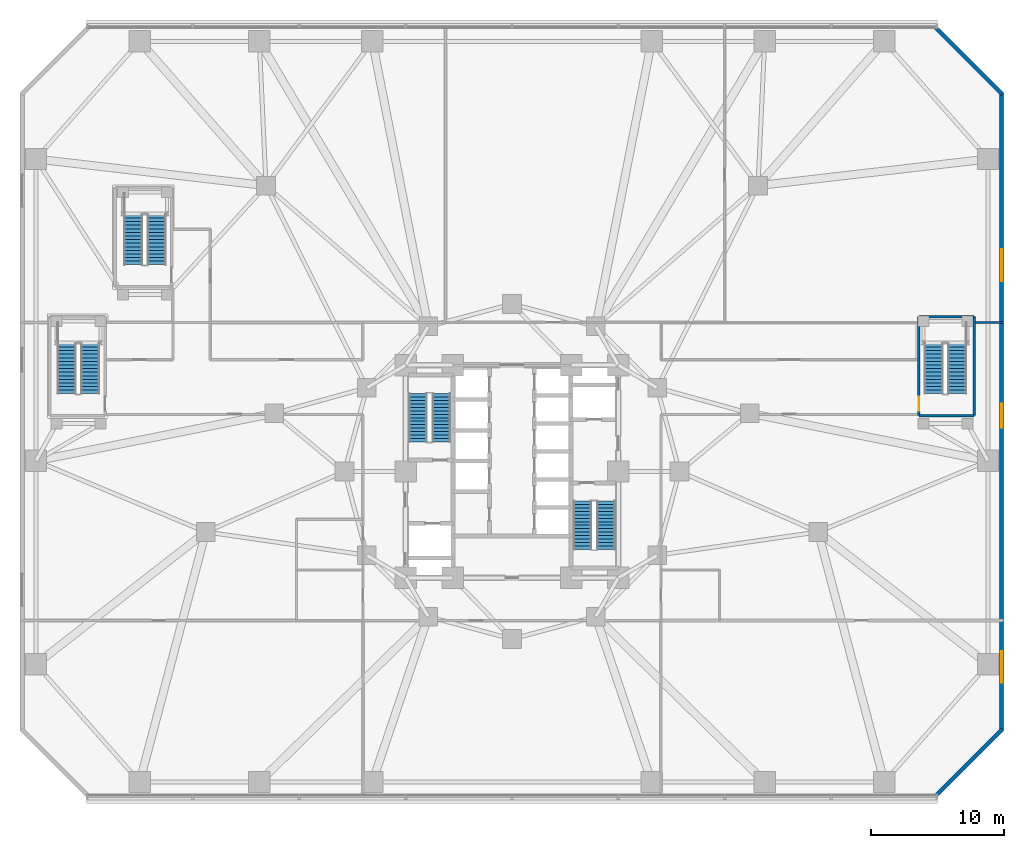
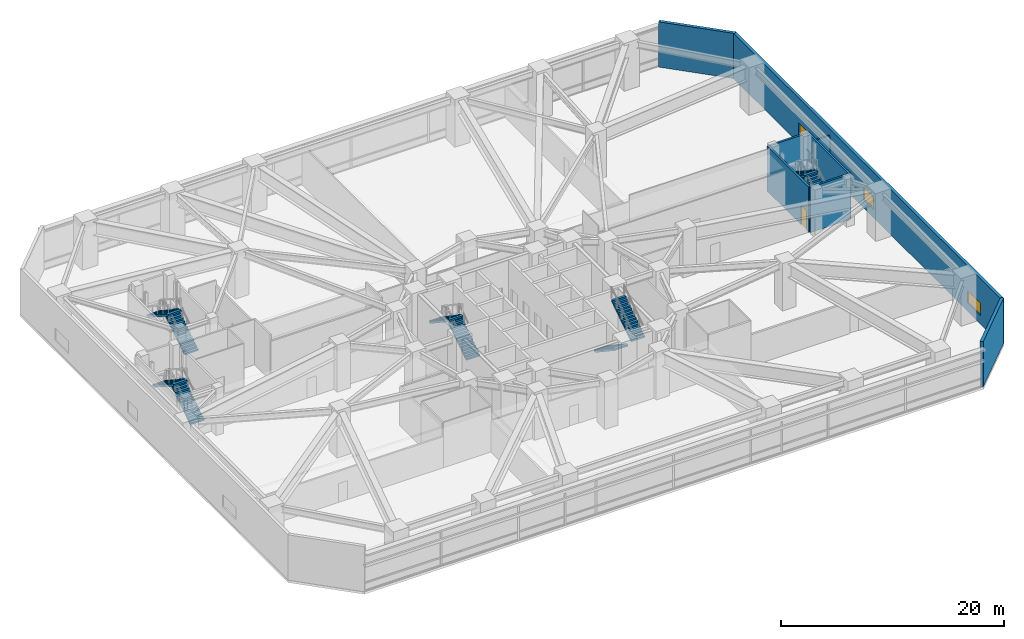
# One storey, part 18 of 27: 10 stair flights, 8 walls, 3 windows, 1 door, 4 openings, 5 elements without a shape of their own.
"""IFC4 building model written with IfcOpenShell, lengths in metres."""

from ifc_helpers import new_model, si_unit, direction, frame, frame_2d, origin, place, context, subcontext, project, spatial, polyline, rectangle, outline, extrude, material, layer, layer_set, type_object, element, fill, aggregate, save


model = new_model("IFC4")

# Units and contexts
model_context = context("Model", 3, precision=1e-05, world=origin(), true_north=direction((0.0, 1.0)))
body_context = subcontext(model_context, "Body", "Model", "MODEL_VIEW")
ifc_project = project(units=[si_unit("LENGTHUNIT", "METRE"), si_unit("AREAUNIT", "SQUARE_METRE"), si_unit("VOLUMEUNIT", "CUBIC_METRE"), si_unit("PLANEANGLEUNIT", "RADIAN"), si_unit("MASSUNIT", "GRAM", prefix="KILO")], contexts=[model_context])

# Site, building, storey
site_placement = place(None, origin())
site = spatial("IfcSite", under=ifc_project, at=site_placement, CompositionType="ELEMENT")
building_placement = place(site_placement, origin())
building = spatial("IfcBuilding", under=site, at=building_placement, Name="Terralouvre Media Tower", CompositionType="ELEMENT")
storey_placement = place(building_placement, frame((0.0, 0.0, 5.199951171875)))
storey = spatial("IfcBuildingStorey", under=building, at=storey_placement, Name="L01", CompositionType="ELEMENT", Elevation=5.199951171875)

# Walls
ifc_material_1 = material(Name="Fire-rated gypsum board drywall partition")
ifc_layer_1 = layer(ifc_material_1, 0.199951171875, Name="Fire-Rated Shaft and Lobby Partition FW-200")
ifc_layer_set_1 = layer_set([ifc_layer_1], Name="Fire-rated gypsum board drywall partition")
wall_type_1 = type_object("IfcWallType", Name="Fire-Rated Shaft and Lobby Partition FW-200", PredefinedType="SOLIDWALL", material=ifc_layer_set_1)
wall_1_placement = place(storey_placement, frame((30.60009765625, 4.199951171875, 0.0), z_axis=(0.0, 0.0, 1.0), x_axis=(1.0, 0.0, 0.0)))
element("IfcWall", 1, at=wall_1_placement, inside=storey, type_object=wall_type_1, Name="L01 ST04 Stair Shaft Wall S", PredefinedType="SOLIDWALL", context=body_context, shape_type="SweptSolid", body=[
    extrude(rectangle(XDim=4.14990234375, YDim=0.199951171875, at=frame_2d((2.074951171875, 0.0))), origin(), (0.0, 0.0, 1.0), 4.949951171875),
])
wall_2_placement = place(storey_placement, frame((34.75, 4.199951171875, 0.0), z_axis=(0.0, 0.0, 1.0), x_axis=(0.0, 1.0, 0.0)))
element("IfcWall", 2, at=wall_2_placement, inside=storey, type_object=wall_type_1, Name="L01 ST04 Stair Shaft Wall E", PredefinedType="SOLIDWALL", context=body_context, shape_type="SweptSolid", body=[
    extrude(rectangle(XDim=7.449951171875, YDim=0.199951171875, at=frame_2d((3.72509765625, 0.0))), origin(), (0.0, 0.0, 1.0), 4.949951171875),
])
wall_3_placement = place(storey_placement, frame((34.75, 11.64990234375, 0.0), z_axis=(0.0, 0.0, 1.0), x_axis=(-1.0, 0.0, 0.0)))
element("IfcWall", 3, at=wall_3_placement, inside=storey, type_object=wall_type_1, Name="L01 ST04 Stair Shaft Wall N", PredefinedType="SOLIDWALL", context=body_context, shape_type="SweptSolid", body=[
    extrude(rectangle(XDim=4.14990234375, YDim=0.199951171875, at=frame_2d((2.074951171875, 0.0))), origin(), (0.0, 0.0, 1.0), 4.949951171875),
])

# Wall, opening, door
wall_4_placement = place(storey_placement, frame((30.60009765625, 11.64990234375, 0.0), z_axis=(0.0, 0.0, 1.0), x_axis=(0.0, -1.0, 0.0)))
wall_4 = element("IfcWall", 4, at=wall_4_placement, inside=storey, type_object=wall_type_1, Name="L01 ST04 Stair Shaft Wall W", PredefinedType="SOLIDWALL", context=body_context, shape_type="SweptSolid", body=[
    extrude(rectangle(XDim=7.449951171875, YDim=0.199951171875, at=frame_2d((3.72509765625, 0.0))), origin(), (0.0, 0.0, 1.0), 4.949951171875),
])
opening_1_placement = place(wall_4_placement, frame((6.0400390625, 0.0, 0.0)))
opening_1 = element("IfcOpeningElement", 5, at=opening_1_placement, cuts=wall_4, Name="Opening FD-01-105X215", PredefinedType="OPENING", context=body_context, shape_type="SweptSolid", body=[
    extrude(rectangle(XDim=1.050048828125, YDim=2.14990234375, at=frame_2d((0.52490234375, 1.074951171875))), frame((0.0, 0.10986328125, 0.0), z_axis=(0.0, -1.0, 0.0), x_axis=(1.0, 0.0, 0.0)), (0.0, 0.0, 1.0), 0.219970703125),
])
ifc_material_2 = material(Name="Galvanised steel fire-resisting leaf", Category="steel")
door_type = type_object("IfcDoorType", Name="Stair and Firefighting Lobby Fire Door FD-01 (1050x2150)", OperationType="NOTDEFINED", PredefinedType="DOOR", material=ifc_material_2)
door_placement = place(opening_1_placement, origin())
door = element("IfcDoor", 6, at=door_placement, inside=storey, type_object=door_type, Name="L01 ST04 Pressurised Stair Door", OperationType="SINGLE_SWING_LEFT", OverallHeight=2.14990234375, OverallWidth=1.050048828125, PredefinedType="DOOR", context=body_context, shape_type="SweptSolid", body=[
    extrude(rectangle(XDim=1.050048828125, YDim=2.14990234375, at=frame_2d((0.52490234375, 1.074951171875))), frame((0.0, 0.02490234375, 0.0), z_axis=(0.0, -1.0, 0.0), x_axis=(1.0, 0.0, 0.0)), (0.0, 0.0, 1.0), 0.050048828125),
])
fill(opening_1, door)

# Wall
ifc_material_3 = material(Name="Kiln-fired architectural terracotta rainscreen cladding", Category="masonry")
ifc_layer_2 = layer(ifc_material_3, 0.300048828125, Name="Podium Acoustic Terracotta Cladding Wall EW-TC300")
ifc_layer_set_2 = layer_set([ifc_layer_2], Name="Kiln-fired architectural terracotta rainscreen cladding")
wall_type_2 = type_object("IfcWallType", Name="Podium Acoustic Terracotta Cladding Wall EW-TC300", PredefinedType="SOLIDWALL", material=ifc_layer_set_2)
wall_5_placement = place(storey_placement, frame((31.876220703125, -24.376220703125, 0.0), z_axis=(0.0, 0.0, 1.0), x_axis=(0.707106781187, 0.707106781187, 0.0)))
element("IfcWall", 7, at=wall_5_placement, inside=storey, type_object=wall_type_2, Name="L01 Podium Terracotta Wall F1", PredefinedType="SOLIDWALL", context=body_context, shape_type="SweptSolid", body=[
    extrude(rectangle(XDim=7.071044921875, YDim=0.300048828125, at=frame_2d((3.53564453125, 0.0))), origin(), (0.0, 0.0, 1.0), 4.949951171875),
])

# Wall, openings, windows
wall_6_placement = place(storey_placement, frame((36.824951171875, -19.5, 0.0), z_axis=(0.0, 0.0, 1.0), x_axis=(0.0, 1.0, 0.0)))
wall_6 = element("IfcWall", 8, at=wall_6_placement, inside=storey, type_object=wall_type_2, Name="L01 Podium Terracotta Wall F2", PredefinedType="SOLIDWALL", context=body_context, shape_type="SweptSolid", body=[
    extrude(rectangle(XDim=48.0, YDim=0.300048828125, at=frame_2d((24.0, 0.0))), origin(), (0.0, 0.0, 1.0), 4.949951171875),
])
opening_2_placement = place(wall_6_placement, frame((3.60009765625, 0.0, 0.89990234375)))
opening_2 = element("IfcOpeningElement", 9, at=opening_2_placement, cuts=wall_6, Name="Opening W-01", PredefinedType="OPENING", context=body_context, shape_type="SweptSolid", body=[
    extrude(rectangle(XDim=2.39990234375, YDim=1.35009765625, at=frame_2d((1.199951171875, 0.675048828125))), frame((0.0, 0.159912109375, 0.0), z_axis=(0.0, -1.0, 0.0), x_axis=(1.0, 0.0, 0.0)), (0.0, 0.0, 1.0), 0.320068359375),
])
opening_3_placement = place(wall_6_placement, frame((22.800048828125, 0.0, 0.89990234375)))
opening_3 = element("IfcOpeningElement", 10, at=opening_3_placement, cuts=wall_6, Name="Opening W-02", PredefinedType="OPENING", context=body_context, shape_type="SweptSolid", body=[
    extrude(rectangle(XDim=1.800048828125, YDim=1.35009765625, at=frame_2d((0.89990234375, 0.675048828125))), frame((0.0, 0.159912109375, 0.0), z_axis=(0.0, -1.0, 0.0), x_axis=(1.0, 0.0, 0.0)), (0.0, 0.0, 1.0), 0.320068359375),
])
opening_4_placement = place(wall_6_placement, frame((33.800048828125, 0.0, 0.89990234375)))
opening_4 = element("IfcOpeningElement", 11, at=opening_4_placement, cuts=wall_6, Name="Opening W-01", PredefinedType="OPENING", context=body_context, shape_type="SweptSolid", body=[
    extrude(rectangle(XDim=2.39990234375, YDim=1.35009765625, at=frame_2d((1.199951171875, 0.675048828125))), frame((0.0, 0.159912109375, 0.0), z_axis=(0.0, -1.0, 0.0), x_axis=(1.0, 0.0, 0.0)), (0.0, 0.0, 1.0), 0.320068359375),
])
ifc_material_4 = material(Name="Low-iron laminated double glazing with solar-control coating", Category="glass")
window_type_1 = type_object("IfcWindowType", Name="Podium Acoustic Studio Window W-01", PartitioningType="SINGLE_PANEL", PredefinedType="WINDOW", material=ifc_material_4)
window_1_placement = place(opening_2_placement, origin())
window_1 = element("IfcWindow", 12, at=window_1_placement, inside=storey, type_object=window_type_1, Name="L01 Podium Window WIN-L01-F2-1", OverallHeight=1.35009765625, OverallWidth=2.39990234375, PartitioningType="SINGLE_PANEL", PredefinedType="WINDOW", context=body_context, shape_type="SweptSolid", body=[
    extrude(rectangle(XDim=2.39990234375, YDim=1.35009765625, at=frame_2d((1.199951171875, 0.675048828125))), frame((0.0, 0.030029296875, 0.0), z_axis=(0.0, -1.0, 0.0), x_axis=(1.0, 0.0, 0.0)), (0.0, 0.0, 1.0), 0.06005859375),
])
fill(opening_2, window_1)
window_2_placement = place(opening_4_placement, origin())
window_2 = element("IfcWindow", 13, at=window_2_placement, inside=storey, type_object=window_type_1, Name="L01 Podium Window WIN-L01-F2-3", OverallHeight=1.35009765625, OverallWidth=2.39990234375, PartitioningType="SINGLE_PANEL", PredefinedType="WINDOW", context=body_context, shape_type="SweptSolid", body=[
    extrude(rectangle(XDim=2.39990234375, YDim=1.35009765625, at=frame_2d((1.199951171875, 0.675048828125))), frame((0.0, 0.030029296875, 0.0), z_axis=(0.0, -1.0, 0.0), x_axis=(1.0, 0.0, 0.0)), (0.0, 0.0, 1.0), 0.06005859375),
])
fill(opening_4, window_2)
ifc_material_5 = material(Name="Low-iron laminated double glazing with solar-control coating", Category="glass")
window_type_2 = type_object("IfcWindowType", Name="Podium Press Office Window W-02", PartitioningType="SINGLE_PANEL", PredefinedType="WINDOW", material=ifc_material_5)
window_3_placement = place(opening_3_placement, origin())
window_3 = element("IfcWindow", 14, at=window_3_placement, inside=storey, type_object=window_type_2, Name="L01 Podium Window WIN-L01-F2-2", OverallHeight=1.35009765625, OverallWidth=1.800048828125, PartitioningType="SINGLE_PANEL", PredefinedType="WINDOW", context=body_context, shape_type="SweptSolid", body=[
    extrude(rectangle(XDim=1.800048828125, YDim=1.35009765625, at=frame_2d((0.89990234375, 0.675048828125))), frame((0.0, 0.030029296875, 0.0), z_axis=(0.0, -1.0, 0.0), x_axis=(1.0, 0.0, 0.0)), (0.0, 0.0, 1.0), 0.06005859375),
])
fill(opening_3, window_3)

# Walls
wall_7_placement = place(storey_placement, frame((36.876220703125, 28.376220703125, 0.0), z_axis=(0.0, 0.0, 1.0), x_axis=(-0.707106781187, 0.707106781187, 0.0)))
element("IfcWall", 15, at=wall_7_placement, inside=storey, type_object=wall_type_2, Name="L01 Podium Terracotta Wall F3", PredefinedType="SOLIDWALL", context=body_context, shape_type="SweptSolid", body=[
    extrude(rectangle(XDim=7.071044921875, YDim=0.300048828125, at=frame_2d((3.53564453125, 0.0))), origin(), (0.0, 0.0, 1.0), 4.949951171875),
])
ifc_material_6 = material(Name="Fire-rated gypsum board drywall partition")
ifc_layer_3 = layer(ifc_material_6, 0.159912109375, Name="Studio Acoustic Rated Partition PT-160")
ifc_layer_set_3 = layer_set([ifc_layer_3], Name="Fire-rated gypsum board drywall partition")
wall_type_3 = type_object("IfcWallType", Name="Studio Acoustic Rated Partition PT-160", PredefinedType="PARTITIONING", material=ifc_layer_set_3)
wall_8_placement = place(storey_placement, frame((36.919921875, 11.199951171875, 0.0), z_axis=(0.0, 0.0, 1.0), x_axis=(-1.0, 0.0, 0.0)))
element("IfcWall", 16, at=wall_8_placement, inside=storey, type_object=wall_type_3, Name="L01 Interior Partition 035", PredefinedType="PARTITIONING", context=body_context, shape_type="SweptSolid", body=[
    extrude(rectangle(XDim=2.06982421875, YDim=0.159912109375, at=frame_2d((1.034912109375, 0.0))), origin(), (0.0, 0.0, 1.0), 4.235107421875),
])

# Stair, stair flights
ifc_material_7 = material(Name="Concrete C45/55", Category="concrete")
stair_type_1 = type_object("IfcStairType", Name="Dogleg Stair Assembly ST-01", PredefinedType="HALF_TURN_STAIR", material=ifc_material_7)
stair_1_placement = place(storey_placement, origin())
stair_1 = element("IfcStair", 17, at=stair_1_placement, inside=storey, type_object=stair_type_1, Name="L01 Core Pressurised Exit Stair ST-01", PredefinedType="HALF_TURN_STAIR")
ifc_material_8 = material(Name="Concrete C45/55", Category="concrete")
stair_flight_type = type_object("IfcStairFlightType", Name="Reinforced Concrete Stair Flight SF-RC1", PredefinedType="STRAIGHT", material=ifc_material_8)
stair_flight_1_placement = place(storey_placement, frame((-5.300048828125, 2.219970703125, 0.0), z_axis=(0.0, 0.0, 1.0), x_axis=(0.0, 1.0, 0.0)))
stair_flight_1 = element("IfcStairFlight", 18, at=stair_flight_1_placement, type_object=stair_flight_type, Name="ST-01 flight 1", NumberOfRisers=15, NumberOfTreads=14, PredefinedType="STRAIGHT", RiserHeight=0.173333333, TreadLength=0.26, context=body_context, shape_type="SweptSolid", body=[
    extrude(outline(polyline([(0.0, 0.0), (0.0, 0.17333984375), (0.260009765625, 0.17333984375), (0.260009765625, 0.3466796875), (0.52001953125, 0.3466796875), (0.52001953125, 0.52001953125), (0.780029296875, 0.52001953125), (0.780029296875, 0.693359375), (1.0400390625, 0.693359375), (1.0400390625, 0.86669921875), (1.300048828125, 0.86669921875), (1.300048828125, 1.0400390625), (1.56005859375, 1.0400390625), (1.56005859375, 1.21337890625), (1.820068359375, 1.21337890625), (1.820068359375, 1.38671875), (2.080078125, 1.38671875), (2.080078125, 1.56005859375), (2.340087890625, 1.56005859375), (2.340087890625, 1.7333984375), (2.60009765625, 1.7333984375), (2.60009765625, 1.90673828125), (2.860107421875, 1.90673828125), (2.860107421875, 2.080078125), (3.1201171875, 2.080078125), (3.1201171875, 2.25341796875), (3.3798828125, 2.25341796875), (3.3798828125, 2.4267578125), (3.639892578125, 2.4267578125), (3.639892578125, 2.60009765625), (3.639892578125, 2.24658203125), (0.270263671875, 0.0), (0.0, 0.0)])), frame((0.0, 0.699951171875, 0.0), z_axis=(0.0, -1.0, 0.0), x_axis=(1.0, 0.0, 0.0)), (0.0, 0.0, 1.0), 1.39990234375),
])
stair_flight_2_placement = place(storey_placement, frame((-7.080078125, 5.860107421875, 2.60009765625), z_axis=(0.0, 0.0, 1.0), x_axis=(0.0, -1.0, 0.0)))
stair_flight_2 = element("IfcStairFlight", 19, at=stair_flight_2_placement, type_object=stair_flight_type, Name="ST-01 flight 2", NumberOfRisers=15, NumberOfTreads=14, PredefinedType="STRAIGHT", RiserHeight=0.173333333, TreadLength=0.26, context=body_context, shape_type="SweptSolid", body=[
    extrude(outline(polyline([(0.0, 0.0), (0.0, 0.17333984375), (0.260009765625, 0.17333984375), (0.260009765625, 0.3466796875), (0.52001953125, 0.3466796875), (0.52001953125, 0.52001953125), (0.780029296875, 0.52001953125), (0.780029296875, 0.693359375), (1.0400390625, 0.693359375), (1.0400390625, 0.86669921875), (1.300048828125, 0.86669921875), (1.300048828125, 1.0400390625), (1.56005859375, 1.0400390625), (1.56005859375, 1.21337890625), (1.820068359375, 1.21337890625), (1.820068359375, 1.38671875), (2.080078125, 1.38671875), (2.080078125, 1.56005859375), (2.340087890625, 1.56005859375), (2.340087890625, 1.7333984375), (2.60009765625, 1.7333984375), (2.60009765625, 1.90673828125), (2.860107421875, 1.90673828125), (2.860107421875, 2.080078125), (3.1201171875, 2.080078125), (3.1201171875, 2.25341796875), (3.3798828125, 2.25341796875), (3.3798828125, 2.4267578125), (3.639892578125, 2.4267578125), (3.639892578125, 2.60009765625), (3.639892578125, 2.24658203125), (0.270263671875, 0.0), (0.0, 0.0)])), frame((0.0, 0.699951171875, 0.0), z_axis=(0.0, -1.0, 0.0), x_axis=(1.0, 0.0, 0.0)), (0.0, 0.0, 1.0), 1.39990234375),
])
aggregate(stair_1, [stair_flight_1, stair_flight_2])

ifc_material_9 = material(Name="Concrete C45/55", Category="concrete")
stair_type_2 = type_object("IfcStairType", Name="Dogleg Stair Assembly ST-02", PredefinedType="HALF_TURN_STAIR", material=ifc_material_9)
stair_2_placement = place(storey_placement, origin())
stair_2 = element("IfcStair", 20, at=stair_2_placement, inside=storey, type_object=stair_type_2, Name="L01 Core Pressurised Exit Stair ST-02", PredefinedType="HALF_TURN_STAIR")
stair_flight_3_placement = place(storey_placement, frame((5.300048828125, -2.219970703125, 0.0), z_axis=(0.0, 0.0, 1.0), x_axis=(0.0, -1.0, 0.0)))
stair_flight_3 = element("IfcStairFlight", 21, at=stair_flight_3_placement, type_object=stair_flight_type, Name="ST-02 flight 1", NumberOfRisers=15, NumberOfTreads=14, PredefinedType="STRAIGHT", RiserHeight=0.173333333, TreadLength=0.26, context=body_context, shape_type="SweptSolid", body=[
    extrude(outline(polyline([(0.0, 0.0), (0.0, 0.17333984375), (0.260009765625, 0.17333984375), (0.260009765625, 0.3466796875), (0.52001953125, 0.3466796875), (0.52001953125, 0.52001953125), (0.780029296875, 0.52001953125), (0.780029296875, 0.693359375), (1.0400390625, 0.693359375), (1.0400390625, 0.86669921875), (1.300048828125, 0.86669921875), (1.300048828125, 1.0400390625), (1.56005859375, 1.0400390625), (1.56005859375, 1.21337890625), (1.820068359375, 1.21337890625), (1.820068359375, 1.38671875), (2.080078125, 1.38671875), (2.080078125, 1.56005859375), (2.340087890625, 1.56005859375), (2.340087890625, 1.7333984375), (2.60009765625, 1.7333984375), (2.60009765625, 1.90673828125), (2.860107421875, 1.90673828125), (2.860107421875, 2.080078125), (3.1201171875, 2.080078125), (3.1201171875, 2.25341796875), (3.3798828125, 2.25341796875), (3.3798828125, 2.4267578125), (3.639892578125, 2.4267578125), (3.639892578125, 2.60009765625), (3.639892578125, 2.24658203125), (0.270263671875, 0.0), (0.0, 0.0)])), frame((0.0, 0.699951171875, 0.0), z_axis=(0.0, -1.0, 0.0), x_axis=(1.0, 0.0, 0.0)), (0.0, 0.0, 1.0), 1.39990234375),
])
stair_flight_4_placement = place(storey_placement, frame((7.080078125, -5.860107421875, 2.60009765625), z_axis=(0.0, 0.0, 1.0), x_axis=(0.0, 1.0, 0.0)))
stair_flight_4 = element("IfcStairFlight", 22, at=stair_flight_4_placement, type_object=stair_flight_type, Name="ST-02 flight 2", NumberOfRisers=15, NumberOfTreads=14, PredefinedType="STRAIGHT", RiserHeight=0.173333333, TreadLength=0.26, context=body_context, shape_type="SweptSolid", body=[
    extrude(outline(polyline([(0.0, 0.0), (0.0, 0.17333984375), (0.260009765625, 0.17333984375), (0.260009765625, 0.3466796875), (0.52001953125, 0.3466796875), (0.52001953125, 0.52001953125), (0.780029296875, 0.52001953125), (0.780029296875, 0.693359375), (1.0400390625, 0.693359375), (1.0400390625, 0.86669921875), (1.300048828125, 0.86669921875), (1.300048828125, 1.0400390625), (1.56005859375, 1.0400390625), (1.56005859375, 1.21337890625), (1.820068359375, 1.21337890625), (1.820068359375, 1.38671875), (2.080078125, 1.38671875), (2.080078125, 1.56005859375), (2.340087890625, 1.56005859375), (2.340087890625, 1.7333984375), (2.60009765625, 1.7333984375), (2.60009765625, 1.90673828125), (2.860107421875, 1.90673828125), (2.860107421875, 2.080078125), (3.1201171875, 2.080078125), (3.1201171875, 2.25341796875), (3.3798828125, 2.25341796875), (3.3798828125, 2.4267578125), (3.639892578125, 2.4267578125), (3.639892578125, 2.60009765625), (3.639892578125, 2.24658203125), (0.270263671875, 0.0), (0.0, 0.0)])), frame((0.0, 0.699951171875, 0.0), z_axis=(0.0, -1.0, 0.0), x_axis=(1.0, 0.0, 0.0)), (0.0, 0.0, 1.0), 1.39990234375),
])
aggregate(stair_2, [stair_flight_3, stair_flight_4])

ifc_material_10 = material(Name="Concrete C45/55", Category="concrete")
stair_type_3 = type_object("IfcStairType", Name="Dogleg Stair Assembly ST-03", PredefinedType="HALF_TURN_STAIR", material=ifc_material_10)
stair_3_placement = place(storey_placement, origin())
stair_3 = element("IfcStair", 23, at=stair_3_placement, inside=storey, type_object=stair_type_3, Name="L01 West Podium Exit Stair ST-03", PredefinedType="HALF_TURN_STAIR")
stair_flight_5_placement = place(storey_placement, frame((-31.7099609375, 5.85009765625, 0.0), z_axis=(0.0, 0.0, 1.0), x_axis=(0.0, 1.0, 0.0)))
stair_flight_5 = element("IfcStairFlight", 24, at=stair_flight_5_placement, type_object=stair_flight_type, Name="ST-03 flight 1", NumberOfRisers=15, NumberOfTreads=14, PredefinedType="STRAIGHT", RiserHeight=0.173333333, TreadLength=0.27, context=body_context, shape_type="SweptSolid", body=[
    extrude(outline(polyline([(0.0, 0.0), (0.0, 0.17333984375), (0.27001953125, 0.17333984375), (0.27001953125, 0.3466796875), (0.5400390625, 0.3466796875), (0.5400390625, 0.52001953125), (0.81005859375, 0.52001953125), (0.81005859375, 0.693359375), (1.080078125, 0.693359375), (1.080078125, 0.86669921875), (1.35009765625, 0.86669921875), (1.35009765625, 1.0400390625), (1.6201171875, 1.0400390625), (1.6201171875, 1.21337890625), (1.889892578125, 1.21337890625), (1.889892578125, 1.38671875), (2.159912109375, 1.38671875), (2.159912109375, 1.56005859375), (2.429931640625, 1.56005859375), (2.429931640625, 1.7333984375), (2.699951171875, 1.7333984375), (2.699951171875, 1.90673828125), (2.969970703125, 1.90673828125), (2.969970703125, 2.080078125), (3.239990234375, 2.080078125), (3.239990234375, 2.25341796875), (3.510009765625, 2.25341796875), (3.510009765625, 2.4267578125), (3.780029296875, 2.4267578125), (3.780029296875, 2.60009765625), (3.780029296875, 2.24853515625), (0.277587890625, 0.0), (0.0, 0.0)])), frame((0.0, 0.7099609375, 0.0), z_axis=(0.0, -1.0, 0.0), x_axis=(1.0, 0.0, 0.0)), (0.0, 0.0, 1.0), 1.419921875),
])
stair_flight_6_placement = place(storey_placement, frame((-33.489990234375, 9.6298828125, 2.60009765625), z_axis=(0.0, 0.0, 1.0), x_axis=(0.0, -1.0, 0.0)))
stair_flight_6 = element("IfcStairFlight", 25, at=stair_flight_6_placement, type_object=stair_flight_type, Name="ST-03 flight 2", NumberOfRisers=15, NumberOfTreads=14, PredefinedType="STRAIGHT", RiserHeight=0.173333333, TreadLength=0.27, context=body_context, shape_type="SweptSolid", body=[
    extrude(outline(polyline([(0.0, 0.0), (0.0, 0.17333984375), (0.27001953125, 0.17333984375), (0.27001953125, 0.3466796875), (0.5400390625, 0.3466796875), (0.5400390625, 0.52001953125), (0.81005859375, 0.52001953125), (0.81005859375, 0.693359375), (1.080078125, 0.693359375), (1.080078125, 0.86669921875), (1.35009765625, 0.86669921875), (1.35009765625, 1.0400390625), (1.6201171875, 1.0400390625), (1.6201171875, 1.21337890625), (1.889892578125, 1.21337890625), (1.889892578125, 1.38671875), (2.159912109375, 1.38671875), (2.159912109375, 1.56005859375), (2.429931640625, 1.56005859375), (2.429931640625, 1.7333984375), (2.699951171875, 1.7333984375), (2.699951171875, 1.90673828125), (2.969970703125, 1.90673828125), (2.969970703125, 2.080078125), (3.239990234375, 2.080078125), (3.239990234375, 2.25341796875), (3.510009765625, 2.25341796875), (3.510009765625, 2.4267578125), (3.780029296875, 2.4267578125), (3.780029296875, 2.60009765625), (3.780029296875, 2.24853515625), (0.277587890625, 0.0), (0.0, 0.0)])), frame((0.0, 0.7099609375, 0.0), z_axis=(0.0, -1.0, 0.0), x_axis=(1.0, 0.0, 0.0)), (0.0, 0.0, 1.0), 1.419921875),
])
aggregate(stair_3, [stair_flight_5, stair_flight_6])

ifc_material_11 = material(Name="Concrete C45/55", Category="concrete")
stair_type_4 = type_object("IfcStairType", Name="Dogleg Stair Assembly ST-04", PredefinedType="HALF_TURN_STAIR", material=ifc_material_11)
stair_4_placement = place(storey_placement, origin())
stair_4 = element("IfcStair", 26, at=stair_4_placement, inside=storey, type_object=stair_type_4, Name="L01 East Podium Exit Stair ST-04", PredefinedType="HALF_TURN_STAIR")
stair_flight_7_placement = place(storey_placement, frame((33.489990234375, 5.85009765625, 0.0), z_axis=(0.0, 0.0, 1.0), x_axis=(0.0, 1.0, 0.0)))
stair_flight_7 = element("IfcStairFlight", 27, at=stair_flight_7_placement, type_object=stair_flight_type, Name="ST-04 flight 1", NumberOfRisers=15, NumberOfTreads=14, PredefinedType="STRAIGHT", RiserHeight=0.173333333, TreadLength=0.27, context=body_context, shape_type="SweptSolid", body=[
    extrude(outline(polyline([(0.0, 0.0), (0.0, 0.17333984375), (0.27001953125, 0.17333984375), (0.27001953125, 0.3466796875), (0.5400390625, 0.3466796875), (0.5400390625, 0.52001953125), (0.81005859375, 0.52001953125), (0.81005859375, 0.693359375), (1.080078125, 0.693359375), (1.080078125, 0.86669921875), (1.35009765625, 0.86669921875), (1.35009765625, 1.0400390625), (1.6201171875, 1.0400390625), (1.6201171875, 1.21337890625), (1.889892578125, 1.21337890625), (1.889892578125, 1.38671875), (2.159912109375, 1.38671875), (2.159912109375, 1.56005859375), (2.429931640625, 1.56005859375), (2.429931640625, 1.7333984375), (2.699951171875, 1.7333984375), (2.699951171875, 1.90673828125), (2.969970703125, 1.90673828125), (2.969970703125, 2.080078125), (3.239990234375, 2.080078125), (3.239990234375, 2.25341796875), (3.510009765625, 2.25341796875), (3.510009765625, 2.4267578125), (3.780029296875, 2.4267578125), (3.780029296875, 2.60009765625), (3.780029296875, 2.24853515625), (0.277587890625, 0.0), (0.0, 0.0)])), frame((0.0, 0.7099609375, 0.0), z_axis=(0.0, -1.0, 0.0), x_axis=(1.0, 0.0, 0.0)), (0.0, 0.0, 1.0), 1.419921875),
])
stair_flight_8_placement = place(storey_placement, frame((31.7099609375, 9.6298828125, 2.60009765625), z_axis=(0.0, 0.0, 1.0), x_axis=(0.0, -1.0, 0.0)))
stair_flight_8 = element("IfcStairFlight", 28, at=stair_flight_8_placement, type_object=stair_flight_type, Name="ST-04 flight 2", NumberOfRisers=15, NumberOfTreads=14, PredefinedType="STRAIGHT", RiserHeight=0.173333333, TreadLength=0.27, context=body_context, shape_type="SweptSolid", body=[
    extrude(outline(polyline([(0.0, 0.0), (0.0, 0.17333984375), (0.27001953125, 0.17333984375), (0.27001953125, 0.3466796875), (0.5400390625, 0.3466796875), (0.5400390625, 0.52001953125), (0.81005859375, 0.52001953125), (0.81005859375, 0.693359375), (1.080078125, 0.693359375), (1.080078125, 0.86669921875), (1.35009765625, 0.86669921875), (1.35009765625, 1.0400390625), (1.6201171875, 1.0400390625), (1.6201171875, 1.21337890625), (1.889892578125, 1.21337890625), (1.889892578125, 1.38671875), (2.159912109375, 1.38671875), (2.159912109375, 1.56005859375), (2.429931640625, 1.56005859375), (2.429931640625, 1.7333984375), (2.699951171875, 1.7333984375), (2.699951171875, 1.90673828125), (2.969970703125, 1.90673828125), (2.969970703125, 2.080078125), (3.239990234375, 2.080078125), (3.239990234375, 2.25341796875), (3.510009765625, 2.25341796875), (3.510009765625, 2.4267578125), (3.780029296875, 2.4267578125), (3.780029296875, 2.60009765625), (3.780029296875, 2.24853515625), (0.277587890625, 0.0), (0.0, 0.0)])), frame((0.0, 0.7099609375, 0.0), z_axis=(0.0, -1.0, 0.0), x_axis=(1.0, 0.0, 0.0)), (0.0, 0.0, 1.0), 1.419921875),
])
aggregate(stair_4, [stair_flight_7, stair_flight_8])

ifc_material_12 = material(Name="Concrete C45/55", Category="concrete")
stair_type_5 = type_object("IfcStairType", Name="Dogleg Stair Assembly ST-06", PredefinedType="HALF_TURN_STAIR", material=ifc_material_12)
stair_5_placement = place(storey_placement, origin())
stair_5 = element("IfcStair", 29, at=stair_5_placement, inside=storey, type_object=stair_type_5, Name="L01 Podium Garden Visitor Stair ST-06", PredefinedType="HALF_TURN_STAIR")
stair_flight_9_placement = place(storey_placement, frame((-26.7099609375, 15.550048828125, 0.0), z_axis=(0.0, 0.0, 1.0), x_axis=(0.0, 1.0, 0.0)))
stair_flight_9 = element("IfcStairFlight", 30, at=stair_flight_9_placement, type_object=stair_flight_type, Name="ST-06 flight 1", NumberOfRisers=15, NumberOfTreads=14, PredefinedType="STRAIGHT", RiserHeight=0.173333333, TreadLength=0.27, context=body_context, shape_type="SweptSolid", body=[
    extrude(outline(polyline([(0.0, 0.0), (0.0, 0.17333984375), (0.27001953125, 0.17333984375), (0.27001953125, 0.3466796875), (0.5400390625, 0.3466796875), (0.5400390625, 0.52001953125), (0.81005859375, 0.52001953125), (0.81005859375, 0.693359375), (1.080078125, 0.693359375), (1.080078125, 0.86669921875), (1.35009765625, 0.86669921875), (1.35009765625, 1.0400390625), (1.6201171875, 1.0400390625), (1.6201171875, 1.21337890625), (1.889892578125, 1.21337890625), (1.889892578125, 1.38671875), (2.159912109375, 1.38671875), (2.159912109375, 1.56005859375), (2.429931640625, 1.56005859375), (2.429931640625, 1.7333984375), (2.699951171875, 1.7333984375), (2.699951171875, 1.90673828125), (2.969970703125, 1.90673828125), (2.969970703125, 2.080078125), (3.239990234375, 2.080078125), (3.239990234375, 2.25341796875), (3.510009765625, 2.25341796875), (3.510009765625, 2.4267578125), (3.780029296875, 2.4267578125), (3.780029296875, 2.60009765625), (3.780029296875, 2.24853515625), (0.277587890625, 0.0), (0.0, 0.0)])), frame((0.0, 0.7099609375, 0.0), z_axis=(0.0, -1.0, 0.0), x_axis=(1.0, 0.0, 0.0)), (0.0, 0.0, 1.0), 1.419921875),
])
stair_flight_10_placement = place(storey_placement, frame((-28.489990234375, 19.330078125, 2.60009765625), z_axis=(0.0, 0.0, 1.0), x_axis=(0.0, -1.0, 0.0)))
stair_flight_10 = element("IfcStairFlight", 31, at=stair_flight_10_placement, type_object=stair_flight_type, Name="ST-06 flight 2", NumberOfRisers=15, NumberOfTreads=14, PredefinedType="STRAIGHT", RiserHeight=0.173333333, TreadLength=0.27, context=body_context, shape_type="SweptSolid", body=[
    extrude(outline(polyline([(0.0, 0.0), (0.0, 0.17333984375), (0.27001953125, 0.17333984375), (0.27001953125, 0.3466796875), (0.5400390625, 0.3466796875), (0.5400390625, 0.52001953125), (0.81005859375, 0.52001953125), (0.81005859375, 0.693359375), (1.080078125, 0.693359375), (1.080078125, 0.86669921875), (1.35009765625, 0.86669921875), (1.35009765625, 1.0400390625), (1.6201171875, 1.0400390625), (1.6201171875, 1.21337890625), (1.889892578125, 1.21337890625), (1.889892578125, 1.38671875), (2.159912109375, 1.38671875), (2.159912109375, 1.56005859375), (2.429931640625, 1.56005859375), (2.429931640625, 1.7333984375), (2.699951171875, 1.7333984375), (2.699951171875, 1.90673828125), (2.969970703125, 1.90673828125), (2.969970703125, 2.080078125), (3.239990234375, 2.080078125), (3.239990234375, 2.25341796875), (3.510009765625, 2.25341796875), (3.510009765625, 2.4267578125), (3.780029296875, 2.4267578125), (3.780029296875, 2.60009765625), (3.780029296875, 2.24853515625), (0.277587890625, 0.0), (0.0, 0.0)])), frame((0.0, 0.7099609375, 0.0), z_axis=(0.0, -1.0, 0.0), x_axis=(1.0, 0.0, 0.0)), (0.0, 0.0, 1.0), 1.419921875),
])
aggregate(stair_5, [stair_flight_9, stair_flight_10])

save(model, "model.ifc")
